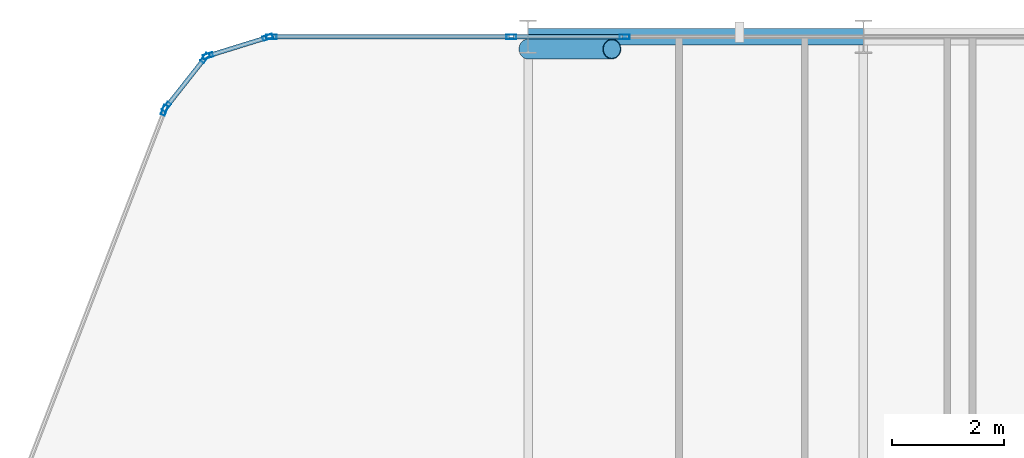
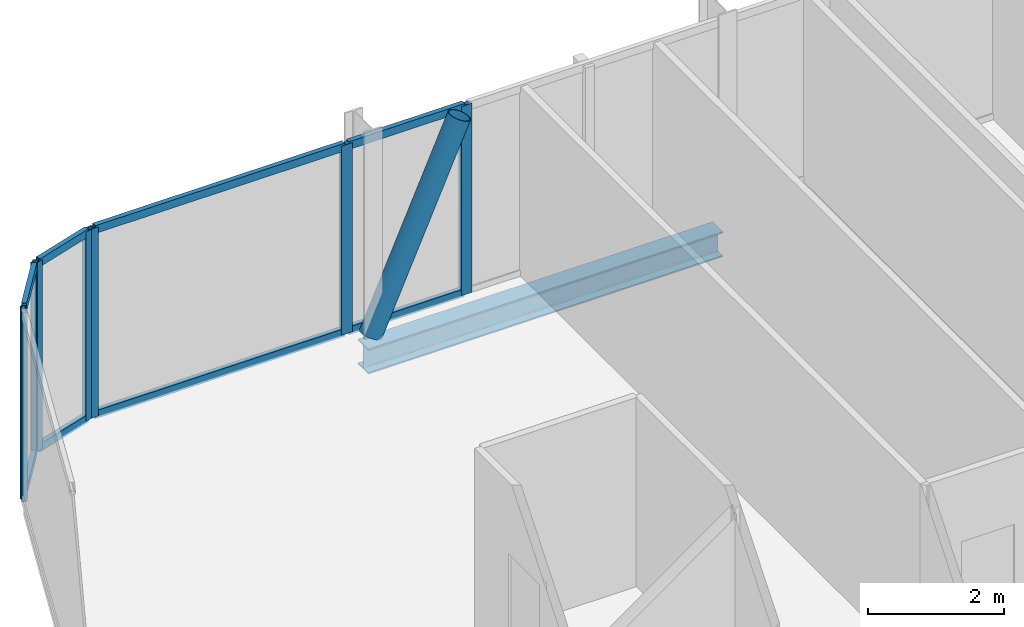
# One storey, part 16 of 29: 17 members, 1 beam, 5 elements without a shape of their own.
"""IFC4 building model written with IfcOpenShell, lengths in metres."""

from ifc_helpers import new_model, si_unit, direction, frame, origin, origin_2d, place, context, subcontext, project, spatial, hollow_rectangle, hollow_circle, i_section, extrude, material, layer, layer_set, material_profile, profile_set, type_object, element, aggregate, save


model = new_model("IFC4")

# Units and contexts
model_context = context("Model", 3, precision=1e-05, world=origin(), true_north=direction((0.0, 1.0)))
body_context = subcontext(model_context, "Body", "Model", "MODEL_VIEW")
ifc_project = project(units=[si_unit("LENGTHUNIT", "METRE"), si_unit("AREAUNIT", "SQUARE_METRE"), si_unit("VOLUMEUNIT", "CUBIC_METRE"), si_unit("PLANEANGLEUNIT", "RADIAN"), si_unit("MASSUNIT", "GRAM", prefix="KILO")], contexts=[model_context])

# Site, building, storey
site_placement = place(None, origin())
site = spatial("IfcSite", under=ifc_project, at=site_placement, CompositionType="ELEMENT")
building_placement = place(site_placement, origin())
building = spatial("IfcBuilding", under=site, at=building_placement, Name="Keshet Zoharim Tower", CompositionType="ELEMENT")
storey_placement = place(building_placement, frame((0.0, 0.0, 94.60009765625)))
storey = spatial("IfcBuildingStorey", under=building, at=storey_placement, Name="L22", CompositionType="ELEMENT", Elevation=94.60009765625)

# Beam
ifc_material_1 = material(Name="Steel S355", Category="steel")
ifc_material_profile_1 = material_profile(ifc_material_1, i_section(OverallWidth=0.300048828125, OverallDepth=0.449951171875, WebThickness=0.013916015625, FlangeThickness=0.02587890625, FilletRadius=0.027099609375, at=origin_2d()), Name="HEB450")
ifc_profile_set_1 = profile_set([ifc_material_profile_1], Name="Steel S355")
beam_type = type_object("IfcBeamType", Name="BM-WEB-HB450", PredefinedType="BEAM", material=ifc_profile_set_1)
beam_placement = place(storey_placement, frame((21.0, 53.89990234375, -0.5400390625), z_axis=(1.0, 0.0, 0.0), x_axis=(0.0, 1.0, 0.0)))
element("IfcBeam", 1, at=beam_placement, inside=storey, type_object=beam_type, Name="L22 Primary Girder X-019", PredefinedType="BEAM", context=body_context, shape_type="SweptSolid", body=[
    extrude(i_section(OverallWidth=0.300048828125, OverallDepth=0.449951171875, WebThickness=0.013916015625, FlangeThickness=0.02587890625, FilletRadius=0.027099609375, at=origin_2d()), origin(), (0.0, 0.0, 1.0), 6.0),
])

# Curtain wall, member
ifc_material_2 = material(Name="Aluminium 6063-T6", Category="aluminium")
ifc_layer = layer(ifc_material_2, 0.159912109375)
ifc_layer_set = layer_set([ifc_layer], Name="Aluminium 6063-T6")
curtain_wall_type = type_object("IfcCurtainWallType", Name="CW-SYS-03", PredefinedType="NOTDEFINED", material=ifc_layer_set)
curtain_wall_1_placement = place(storey_placement, origin())
curtain_wall_1 = element("IfcCurtainWall", 2, at=curtain_wall_1_placement, inside=storey, type_object=curtain_wall_type, Name="L22 Unitised Curtain Wall 10", PredefinedType="NOTDEFINED")
ifc_material_profile_2 = material_profile(ifc_material_2, hollow_rectangle(XDim=0.080078125, YDim=0.179931640625, WallThickness=0.00439453125, at=origin_2d()), Name="MUL-80x180")
ifc_profile_set_2 = profile_set([ifc_material_profile_2], Name="Aluminium 6063-T6")
member_type_1 = type_object("IfcMemberType", Name="CWM-M18", PredefinedType="MULLION", material=ifc_profile_set_2)
member_1_placement = place(storey_placement, frame((14.494384765625, 52.58544921875, 0.0), z_axis=(0.0, 0.0, 1.0), x_axis=(-0.933341404361, 0.358990003907, 0.0)))
member_1 = element("IfcMember", 3, at=member_1_placement, type_object=member_type_1, Name="CW-03 mullion 4", PredefinedType="MULLION", context=body_context, shape_type="SweptSolid", body=[
    extrude(hollow_rectangle(XDim=0.080078125, YDim=0.179931640625, WallThickness=0.00439453125, at=origin_2d()), origin(), (0.0, 0.0, 1.0), 3.385009765625),
])
aggregate(curtain_wall_1, [member_1])

# Curtain wall, members
curtain_wall_2_placement = place(storey_placement, origin())
curtain_wall_2 = element("IfcCurtainWall", 4, at=curtain_wall_2_placement, inside=storey, type_object=curtain_wall_type, Name="L22 Unitised Curtain Wall 11", PredefinedType="NOTDEFINED")
member_2_placement = place(storey_placement, frame((14.528564453125, 52.6455078125, 0.0), z_axis=(0.0, 0.0, 1.0), x_axis=(-0.785292825205, 0.619124525989, 0.0)))
member_2 = element("IfcMember", 5, at=member_2_placement, type_object=member_type_1, Name="CW-03 mullion 1", PredefinedType="MULLION", context=body_context, shape_type="SweptSolid", body=[
    extrude(hollow_rectangle(XDim=0.080078125, YDim=0.179931640625, WallThickness=0.00439453125, at=origin_2d()), origin(), (0.0, 0.0, 1.0), 3.385009765625),
])
member_3_placement = place(storey_placement, frame((15.21923828125, 53.521484375, 0.0), z_axis=(0.0, 0.0, 1.0), x_axis=(-0.785292825205, 0.619124525989, 0.0)))
member_3 = element("IfcMember", 6, at=member_3_placement, type_object=member_type_1, Name="CW-03 mullion 2", PredefinedType="MULLION", context=body_context, shape_type="SweptSolid", body=[
    extrude(hollow_rectangle(XDim=0.080078125, YDim=0.179931640625, WallThickness=0.00439453125, at=origin_2d()), origin(), (0.0, 0.0, 1.0), 3.385009765625),
])

curtain_wall_3_placement = place(storey_placement, origin())
curtain_wall_3 = element("IfcCurtainWall", 7, at=curtain_wall_3_placement, inside=storey, type_object=curtain_wall_type, Name="L22 Unitised Curtain Wall 12", PredefinedType="NOTDEFINED")
member_4_placement = place(storey_placement, frame((15.2744140625, 53.559326171875, 0.0), z_axis=(0.0, 0.0, 1.0), x_axis=(-0.295921857984, 0.955212151288, 0.0)))
member_4 = element("IfcMember", 8, at=member_4_placement, type_object=member_type_1, Name="CW-03 mullion 1", PredefinedType="MULLION", context=body_context, shape_type="SweptSolid", body=[
    extrude(hollow_rectangle(XDim=0.080078125, YDim=0.179931640625, WallThickness=0.00439453125, at=origin_2d()), origin(), (0.0, 0.0, 1.0), 3.385009765625),
])
member_5_placement = place(storey_placement, frame((16.340576171875, 53.8896484375, 0.0), z_axis=(0.0, 0.0, 1.0), x_axis=(-0.295921857984, 0.955212151288, 0.0)))
member_5 = element("IfcMember", 9, at=member_5_placement, type_object=member_type_1, Name="CW-03 mullion 2", PredefinedType="MULLION", context=body_context, shape_type="SweptSolid", body=[
    extrude(hollow_rectangle(XDim=0.080078125, YDim=0.179931640625, WallThickness=0.00439453125, at=origin_2d()), origin(), (0.0, 0.0, 1.0), 3.385009765625),
])

curtain_wall_4_placement = place(storey_placement, origin())
curtain_wall_4 = element("IfcCurtainWall", 10, at=curtain_wall_4_placement, inside=storey, type_object=curtain_wall_type, Name="L22 Unitised Curtain Wall 13", PredefinedType="NOTDEFINED")
member_6_placement = place(storey_placement, frame((16.408935546875, 53.89990234375, 0.0), z_axis=(0.0, 0.0, 1.0), x_axis=(0.0, 1.0, 0.0)))
member_6 = element("IfcMember", 11, at=member_6_placement, type_object=member_type_1, Name="CW-03 mullion 1", PredefinedType="MULLION", context=body_context, shape_type="SweptSolid", body=[
    extrude(hollow_rectangle(XDim=0.080078125, YDim=0.179931640625, WallThickness=0.00439453125, at=origin_2d()), origin(), (0.0, 0.0, 1.0), 3.385009765625),
])
member_7_placement = place(storey_placement, frame((20.702392578125, 53.89990234375, 0.0), z_axis=(0.0, 0.0, 1.0), x_axis=(0.0, 1.0, 0.0)))
member_7 = element("IfcMember", 12, at=member_7_placement, type_object=member_type_1, Name="CW-03 mullion 2", PredefinedType="MULLION", context=body_context, shape_type="SweptSolid", body=[
    extrude(hollow_rectangle(XDim=0.080078125, YDim=0.179931640625, WallThickness=0.00439453125, at=origin_2d()), origin(), (0.0, 0.0, 1.0), 3.385009765625),
])

# Curtain wall, member
curtain_wall_5_placement = place(storey_placement, origin())
curtain_wall_5 = element("IfcCurtainWall", 13, at=curtain_wall_5_placement, inside=storey, type_object=curtain_wall_type, Name="L22 Unitised Curtain Wall 13 Part 2", PredefinedType="NOTDEFINED")
member_8_placement = place(storey_placement, frame((22.7275390625, 53.89990234375, 0.0), z_axis=(0.0, 0.0, 1.0), x_axis=(0.0, 1.0, 0.0)))
member_8 = element("IfcMember", 14, at=member_8_placement, type_object=member_type_1, Name="CW-03 mullion 2", PredefinedType="MULLION", context=body_context, shape_type="SweptSolid", body=[
    extrude(hollow_rectangle(XDim=0.080078125, YDim=0.179931640625, WallThickness=0.00439453125, at=origin_2d()), origin(), (0.0, 0.0, 1.0), 3.385009765625),
])

# Member
ifc_material_profile_3 = material_profile(ifc_material_2, hollow_rectangle(XDim=0.080078125, YDim=0.139892578125, WallThickness=0.00390625, at=origin_2d()), Name="TRN-80x140")
ifc_profile_set_3 = profile_set([ifc_material_profile_3], Name="Aluminium 6063-T6")
member_type_2 = type_object("IfcMemberType", Name="CWT-T14", PredefinedType="USERDEFINED", material=ifc_profile_set_3)
member_9_placement = place(storey_placement, frame((14.55029296875, 52.6728515625, 0.034912109375), z_axis=(0.619099165969, 0.78531281837, 0.0), x_axis=(-0.78531281837, 0.619099165969, 0.0)))
member_9 = element("IfcMember", 15, at=member_9_placement, type_object=member_type_2, Name="CW-03 transom 1.1", ObjectType="TRANSOM", PredefinedType="USERDEFINED", context=body_context, shape_type="SweptSolid", body=[
    extrude(hollow_rectangle(XDim=0.080078125, YDim=0.139892578125, WallThickness=0.00390625, at=origin_2d()), origin(), (0.0, 0.0, 1.0), 1.0458984375),
])

member_10_placement = place(storey_placement, frame((14.55029296875, 52.6728515625, 3.349853515625), z_axis=(0.619099165969, 0.78531281837, 0.0), x_axis=(-0.78531281837, 0.619099165969, 0.0)))
member_10 = element("IfcMember", 16, at=member_10_placement, type_object=member_type_2, Name="CW-03 transom 1.2", ObjectType="TRANSOM", PredefinedType="USERDEFINED", context=body_context, shape_type="SweptSolid", body=[
    extrude(hollow_rectangle(XDim=0.080078125, YDim=0.139892578125, WallThickness=0.00390625, at=origin_2d()), origin(), (0.0, 0.0, 1.0), 1.0458984375),
])

aggregate(curtain_wall_2, [member_2, member_3, member_9, member_10])

member_11_placement = place(storey_placement, frame((15.307861328125, 53.56982421875, 0.034912109375), z_axis=(0.955212093062, 0.295922045933, 0.0), x_axis=(-0.295922045933, 0.955212093062, 0.0)))
member_11 = element("IfcMember", 17, at=member_11_placement, type_object=member_type_2, Name="CW-03 transom 1.1", ObjectType="TRANSOM", PredefinedType="USERDEFINED", context=body_context, shape_type="SweptSolid", body=[
    extrude(hollow_rectangle(XDim=0.080078125, YDim=0.139892578125, WallThickness=0.00390625, at=origin_2d()), origin(), (0.0, 0.0, 1.0), 1.046142578125),
])

member_12_placement = place(storey_placement, frame((15.307861328125, 53.56982421875, 3.349853515625), z_axis=(0.955212093062, 0.295922045933, 0.0), x_axis=(-0.295922045933, 0.955212093062, 0.0)))
member_12 = element("IfcMember", 18, at=member_12_placement, type_object=member_type_2, Name="CW-03 transom 1.2", ObjectType="TRANSOM", PredefinedType="USERDEFINED", context=body_context, shape_type="SweptSolid", body=[
    extrude(hollow_rectangle(XDim=0.080078125, YDim=0.139892578125, WallThickness=0.00390625, at=origin_2d()), origin(), (0.0, 0.0, 1.0), 1.046142578125),
])

aggregate(curtain_wall_3, [member_4, member_5, member_11, member_12])

member_13_placement = place(storey_placement, frame((16.444091796875, 53.89990234375, 0.034912109375), z_axis=(1.0, 0.0, 0.0), x_axis=(0.0, 1.0, 0.0)))
member_13 = element("IfcMember", 19, at=member_13_placement, type_object=member_type_2, Name="CW-03 transom 1.1", ObjectType="TRANSOM", PredefinedType="USERDEFINED", context=body_context, shape_type="SweptSolid", body=[
    extrude(hollow_rectangle(XDim=0.080078125, YDim=0.139892578125, WallThickness=0.00390625, at=origin_2d()), origin(), (0.0, 0.0, 1.0), 4.223388671875),
])

member_14_placement = place(storey_placement, frame((16.444091796875, 53.89990234375, 3.349853515625), z_axis=(1.0, 0.0, 0.0), x_axis=(0.0, 1.0, 0.0)))
member_14 = element("IfcMember", 20, at=member_14_placement, type_object=member_type_2, Name="CW-03 transom 1.2", ObjectType="TRANSOM", PredefinedType="USERDEFINED", context=body_context, shape_type="SweptSolid", body=[
    extrude(hollow_rectangle(XDim=0.080078125, YDim=0.139892578125, WallThickness=0.00390625, at=origin_2d()), origin(), (0.0, 0.0, 1.0), 4.223388671875),
])

aggregate(curtain_wall_4, [member_6, member_7, member_13, member_14])

member_15_placement = place(storey_placement, frame((20.7373046875, 53.89990234375, 0.034912109375), z_axis=(1.0, 0.0, 0.0), x_axis=(0.0, 1.0, 0.0)))
member_15 = element("IfcMember", 21, at=member_15_placement, type_object=member_type_2, Name="CW-03 transom 1.1", ObjectType="TRANSOM", PredefinedType="USERDEFINED", context=body_context, shape_type="SweptSolid", body=[
    extrude(hollow_rectangle(XDim=0.080078125, YDim=0.139892578125, WallThickness=0.00390625, at=origin_2d()), origin(), (0.0, 0.0, 1.0), 1.955322265625),
])

member_16_placement = place(storey_placement, frame((20.7373046875, 53.89990234375, 3.349853515625), z_axis=(1.0, 0.0, 0.0), x_axis=(0.0, 1.0, 0.0)))
member_16 = element("IfcMember", 22, at=member_16_placement, type_object=member_type_2, Name="CW-03 transom 1.2", ObjectType="TRANSOM", PredefinedType="USERDEFINED", context=body_context, shape_type="SweptSolid", body=[
    extrude(hollow_rectangle(XDim=0.080078125, YDim=0.139892578125, WallThickness=0.00390625, at=origin_2d()), origin(), (0.0, 0.0, 1.0), 1.955322265625),
])

aggregate(curtain_wall_5, [member_8, member_15, member_16])

ifc_material_profile_4 = material_profile(ifc_material_1, hollow_circle(Radius=0.177734375, WallThickness=0.012451171875, at=origin_2d()), Name="CHS355x12.5")
ifc_profile_set_4 = profile_set([ifc_material_profile_4], Name="Steel S355")
member_type_3 = type_object("IfcMemberType", Name="MB-BR-C355", PredefinedType="BRACE", material=ifc_profile_set_4)
member_17_placement = place(storey_placement, frame((21.0, 53.679931640625, 0.0), z_axis=(0.405134846829, 0.0, 0.91425694194), x_axis=(0.0, 1.0, 0.0)))
element("IfcMember", 23, at=member_17_placement, inside=storey, type_object=member_type_3, Name="L22 Perimeter Tube Brace 02", PredefinedType="BRACE", context=body_context, shape_type="SweptSolid", body=[
    extrude(hollow_circle(Radius=0.177734375, WallThickness=0.012451171875, at=origin_2d()), origin(), (0.0, 0.0, 1.0), 3.702392578125),
])

save(model, "model.ifc")
